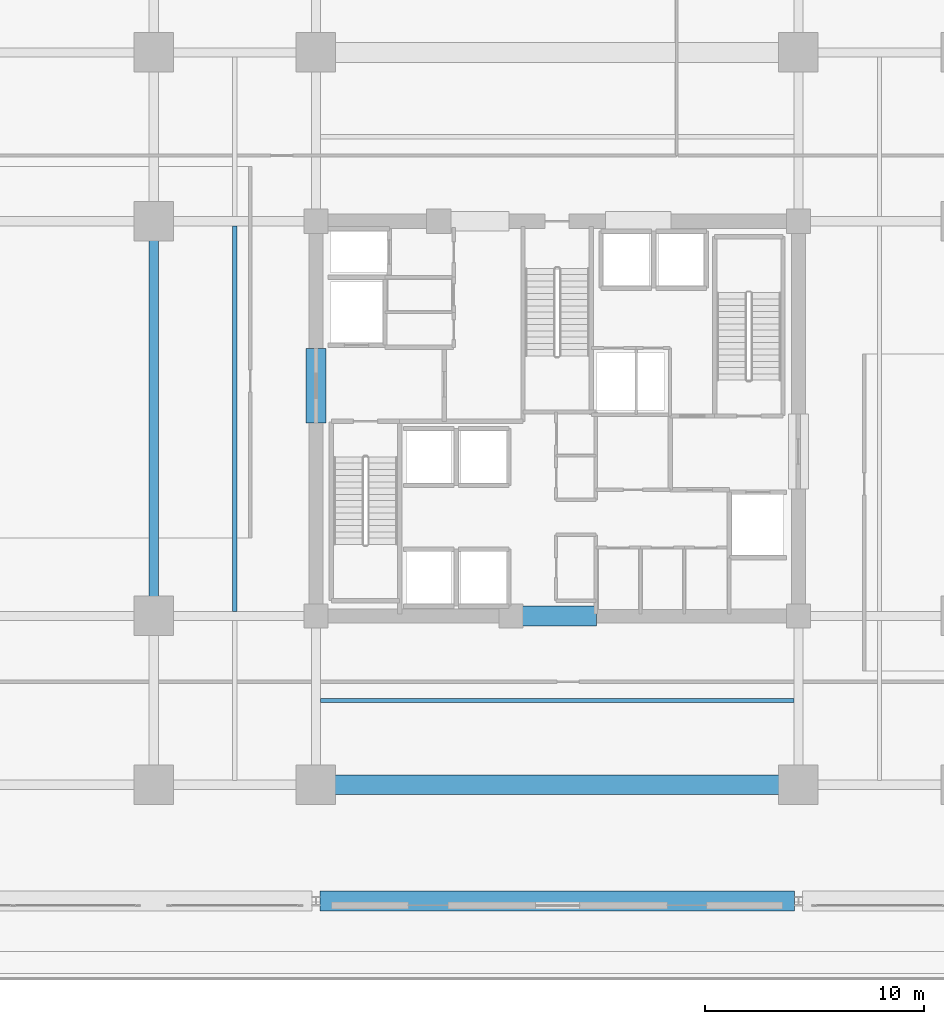
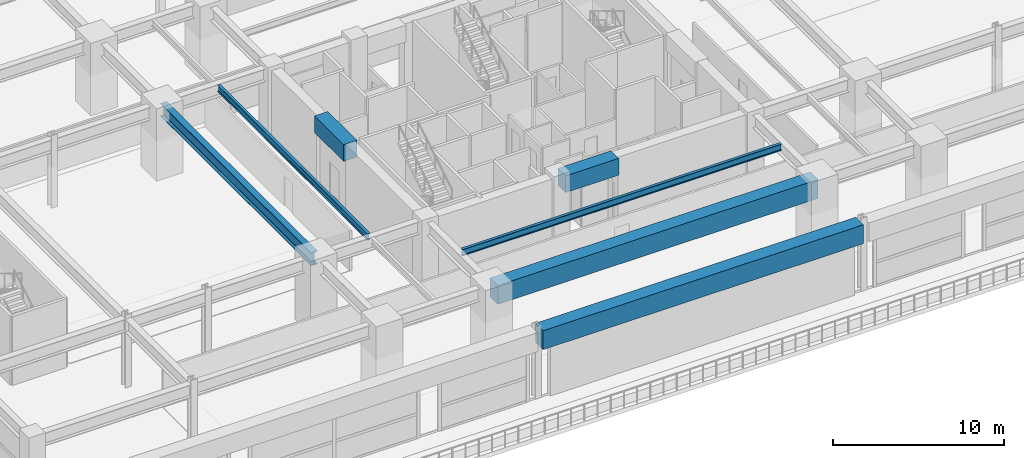
# One storey, part 10 of 43: 7 beams.
"""IFC4 building model written with IfcOpenShell, lengths in metres."""

from ifc_helpers import new_model, si_unit, direction, frame, origin, origin_2d, place, context, subcontext, project, spatial, rectangle, i_section, extrude, material, material_profile, profile_set, type_object, element, save


model = new_model("IFC4")

# Units and contexts
model_context = context("Model", 3, precision=1e-05, world=origin(), true_north=direction((0.0, 1.0)))
body_context = subcontext(model_context, "Body", "Model", "MODEL_VIEW")
ifc_project = project(units=[si_unit("LENGTHUNIT", "METRE"), si_unit("AREAUNIT", "SQUARE_METRE"), si_unit("VOLUMEUNIT", "CUBIC_METRE"), si_unit("PLANEANGLEUNIT", "RADIAN"), si_unit("MASSUNIT", "GRAM", prefix="KILO")], contexts=[model_context])

# Site, building, storey
site_placement = place(None, origin())
site = spatial("IfcSite", under=ifc_project, at=site_placement, CompositionType="ELEMENT")
building_placement = place(site_placement, origin())
building = spatial("IfcBuilding", under=site, at=building_placement, Name="Kovane Verandah Tower", CompositionType="ELEMENT")
storey_placement = place(building_placement, frame((0.0, 0.0, 11.199951171875)))
storey = spatial("IfcBuildingStorey", under=building, at=storey_placement, Name="L02", CompositionType="ELEMENT", Elevation=11.199951171875)

# Beams
ifc_material_1 = material(Name="Concrete C80/95", Category="concrete")
ifc_material_profile_1 = material_profile(ifc_material_1, rectangle(XDim=0.89990234375, YDim=1.199951171875, at=origin_2d()), Name="RCB900x1200")
ifc_profile_set_1 = profile_set([ifc_material_profile_1], Name="Concrete C80/95")
beam_type_1 = type_object("IfcBeamType", Name="BM-LINTEL-900x1200", PredefinedType="LINTEL", material=ifc_profile_set_1)
beam_1_placement = place(storey_placement, frame((38.199951171875, 18.5, 4.320068359375), z_axis=(1.0, 0.0, 0.0), x_axis=(0.0, 1.0, 0.0)))
element("IfcBeam", 1, at=beam_1_placement, inside=storey, type_object=beam_type_1, Name="L02 Core Coupling Lintel CL-S", PredefinedType="LINTEL", context=body_context, shape_type="SweptSolid", body=[
    extrude(rectangle(XDim=0.89990234375, YDim=1.199951171875, at=origin_2d()), origin(), (0.0, 0.0, 1.0), 3.60009765625),
])
beam_2_placement = place(storey_placement, frame((29.0, 27.300048828125, 4.320068359375), z_axis=(0.0, 1.0, 0.0), x_axis=(-1.0, 0.0, 0.0)))
element("IfcBeam", 2, at=beam_2_placement, inside=storey, type_object=beam_type_1, Name="L02 Core Coupling Lintel CL-W", PredefinedType="LINTEL", context=body_context, shape_type="SweptSolid", body=[
    extrude(rectangle(XDim=0.89990234375, YDim=1.199951171875, at=origin_2d()), origin(), (0.0, 0.0, 1.0), 3.39990234375),
])
ifc_material_profile_2 = material_profile(ifc_material_1, rectangle(XDim=0.89990234375, YDim=1.35009765625, at=origin_2d()), Name="RCB900x1350")
ifc_profile_set_2 = profile_set([ifc_material_profile_2], Name="Concrete C80/95")
beam_type_2 = type_object("IfcBeamType", Name="BM-TR-900x1350", PredefinedType="BEAM", material=ifc_profile_set_2)
for number, where, z_axis, x_axis, name in (
    (3, (29.179931640625, 10.800048828125, 4.2451171875), (1.0, 0.0, 0.0), (0.0, 1.0, 0.0), "L02 Primary Tower Girder G-RS2"),
    (4, (29.179931640625, 5.5, 4.22509765625), (1.0, 0.0, 0.0), (0.0, 1.0, 0.0), "L02 South Terrace Girder S2-2"),
):
    element("IfcBeam", number, at=place(storey_placement, frame(where, z_axis=z_axis, x_axis=x_axis)), inside=storey, type_object=beam_type_2, Name=name, PredefinedType="BEAM", context=body_context, shape_type="SweptSolid", body=[
        extrude(rectangle(XDim=0.89990234375, YDim=1.35009765625, at=origin_2d()), origin(), (0.0, 0.0, 1.0), 21.64013671875),
    ])
ifc_material_2 = material(Name="Steel S460", Category="steel")
ifc_material_profile_3 = material_profile(ifc_material_2, i_section(OverallWidth=0.42041015625, OverallDepth=0.9208984375, WebThickness=0.021484375, FlangeThickness=0.03662109375, FilletRadius=0.024169921875, at=origin_2d()), Name="UB914x419x388")
ifc_profile_set_3 = profile_set([ifc_material_profile_3], Name="Steel S460")
beam_type_3 = type_object("IfcBeamType", Name="BM-UB914x388", PredefinedType="BEAM", material=ifc_profile_set_3)
beam_3_placement = place(storey_placement, frame((21.60009765625, 18.679931640625, 4.45947265625), z_axis=(0.0, 1.0, 0.0), x_axis=(-1.0, 0.0, 0.0)))
element("IfcBeam", 5, at=beam_3_placement, inside=storey, type_object=beam_type_3, Name="L02 Primary Tower Girder G-RW2", PredefinedType="BEAM", context=body_context, shape_type="SweptSolid", body=[
    extrude(i_section(OverallWidth=0.42041015625, OverallDepth=0.9208984375, WebThickness=0.021484375, FlangeThickness=0.03662109375, FilletRadius=0.024169921875, at=origin_2d()), origin(), (0.0, 0.0, 1.0), 17.64013671875),
])
ifc_material_3 = material(Name="Steel S355", Category="steel")
ifc_material_profile_4 = material_profile(ifc_material_3, i_section(OverallWidth=0.19287109375, OverallDepth=0.46728515625, WebThickness=0.011474609375, FlangeThickness=0.01953125, FilletRadius=0.01025390625, at=origin_2d()), Name="UB457x191x98")
ifc_profile_set_4 = profile_set([ifc_material_profile_4], Name="Steel S355")
beam_type_4 = type_object("IfcBeamType", Name="JST-UB457x98", PredefinedType="JOIST", material=ifc_profile_set_4)
beam_4_placement = place(storey_placement, frame((29.208251953125, 14.64990234375, 4.6865234375), z_axis=(1.0, 0.0, 0.0), x_axis=(0.0, 1.0, 0.0)))
element("IfcBeam", 6, at=beam_4_placement, inside=storey, type_object=beam_type_4, Name="L02 Secondary Composite Joist J-S1", PredefinedType="JOIST", context=body_context, shape_type="SweptSolid", body=[
    extrude(i_section(OverallWidth=0.19287109375, OverallDepth=0.46728515625, WebThickness=0.011474609375, FlangeThickness=0.01953125, FilletRadius=0.01025390625, at=origin_2d()), origin(), (0.0, 0.0, 1.0), 21.58349609375),
])
beam_5_placement = place(storey_placement, frame((25.300048828125, 18.708251953125, 4.6865234375), z_axis=(0.0, 1.0, 0.0), x_axis=(-1.0, 0.0, 0.0)))
element("IfcBeam", 7, at=beam_5_placement, inside=storey, type_object=beam_type_4, Name="L02 Secondary Composite Joist J-W1", PredefinedType="JOIST", context=body_context, shape_type="SweptSolid", body=[
    extrude(i_section(OverallWidth=0.19287109375, OverallDepth=0.46728515625, WebThickness=0.011474609375, FlangeThickness=0.01953125, FilletRadius=0.01025390625, at=origin_2d()), origin(), (0.0, 0.0, 1.0), 17.58349609375),
])

save(model, "model.ifc")
